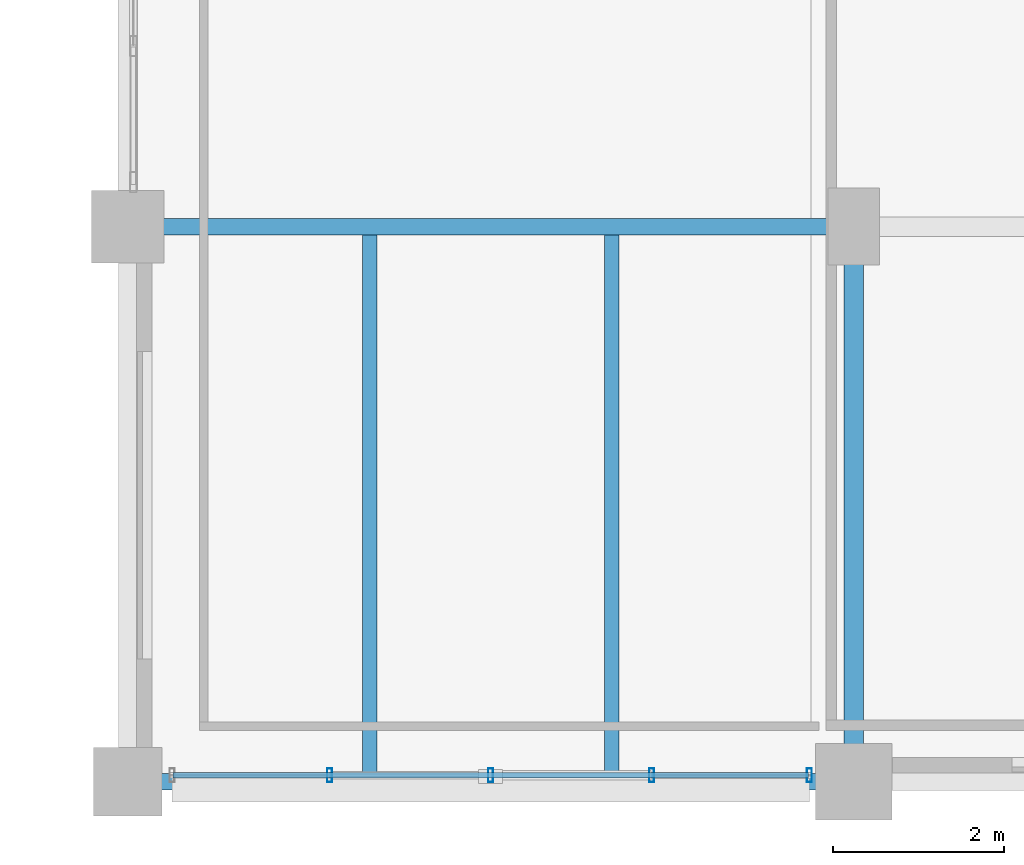
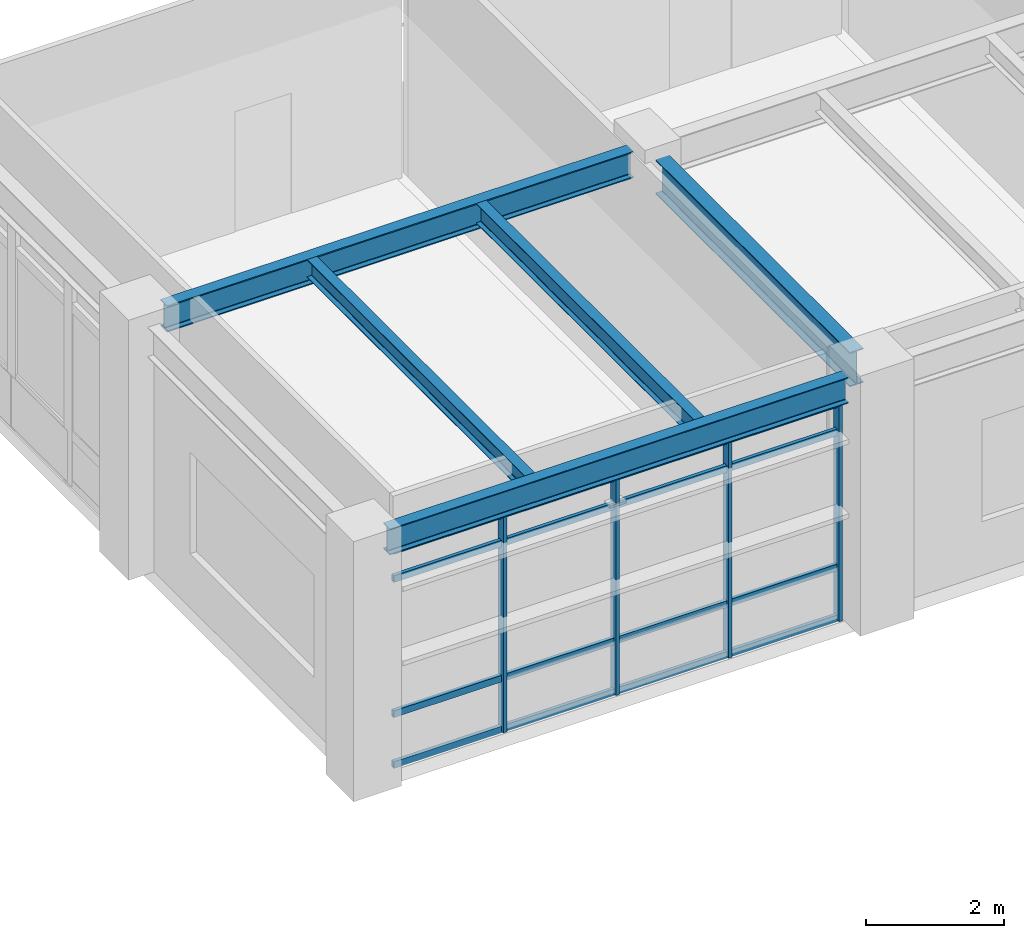
# One storey, part 95 of 168: 8 members, 5 beams, 1 element without a shape of its own.
"""IFC4 building model written with IfcOpenShell, lengths in metres."""

from ifc_helpers import new_model, si_unit, direction, frame, origin, origin_2d, place, context, subcontext, project, spatial, hollow_rectangle, i_section, extrude, material, material_profile, profile_set, type_object, element, aggregate, save


model = new_model("IFC4")

# Units and contexts
model_context = context("Model", 3, precision=1e-05, world=origin(), true_north=direction((0.0, 1.0)))
body_context = subcontext(model_context, "Body", "Model", "MODEL_VIEW")
ifc_project = project(units=[si_unit("LENGTHUNIT", "METRE"), si_unit("AREAUNIT", "SQUARE_METRE"), si_unit("VOLUMEUNIT", "CUBIC_METRE"), si_unit("PLANEANGLEUNIT", "RADIAN"), si_unit("MASSUNIT", "GRAM", prefix="KILO"), si_unit("THERMODYNAMICTEMPERATUREUNIT", "KELVIN"), si_unit("POWERUNIT", "WATT")], contexts=[model_context])

# Site, building, storey
site_placement = place(None, origin())
site = spatial("IfcSite", under=ifc_project, at=site_placement, CompositionType="ELEMENT")
building_placement = place(site_placement, origin())
building = spatial("IfcBuilding", under=site, at=building_placement, Name="Tepalcoro Natatorium and Aquatics Centre", CompositionType="ELEMENT")
storey_placement = place(building_placement, frame((0.0, 0.0, 10.199951171875)))
storey = spatial("IfcBuildingStorey", under=building, at=storey_placement, Name="L02", CompositionType="ELEMENT", Elevation=10.199951171875)

# Beams
ifc_material_1 = material(Name="Steel ASTM A992 Grade 50 (Fy 345 MPa)", Category="steel")
ifc_material_profile_1 = material_profile(ifc_material_1, i_section(OverallWidth=0.193115234375, OverallDepth=0.467041015625, WebThickness=0.010986328125, FlangeThickness=0.01904296875, FilletRadius=0.013916015625, at=origin_2d()), Name="W18X65")
ifc_profile_set_1 = profile_set([ifc_material_profile_1], Name="Steel ASTM A992 Grade 50 (Fy 345 MPa)")
beam_type_1 = type_object("IfcBeamType", Name="BM_W18x65", PredefinedType="BEAM", material=ifc_profile_set_1)
beam_1_placement = place(storey_placement, frame((142.409912109375, 13.0, 4.131591796875), z_axis=(1.0, 0.0, 0.0), x_axis=(0.0, 1.0, 0.0)))
element("IfcBeam", 1, at=beam_1_placement, inside=storey, type_object=beam_type_1, Name="V2 L02 Grid Girder X", PredefinedType="BEAM", context=body_context, shape_type="SweptSolid", body=[
    extrude(i_section(OverallWidth=0.193115234375, OverallDepth=0.467041015625, WebThickness=0.010986328125, FlangeThickness=0.01904296875, FilletRadius=0.013916015625, at=origin_2d()), origin(), (0.0, 0.0, 1.0), 7.80517578125),
])
ifc_material_profile_2 = material_profile(ifc_material_1, i_section(OverallWidth=0.22802734375, OverallDepth=0.60693359375, WebThickness=0.010986328125, FlangeThickness=0.01708984375, FilletRadius=0.013916015625, at=origin_2d()), Name="W24X76")
ifc_profile_set_2 = profile_set([ifc_material_profile_2], Name="Steel ASTM A992 Grade 50 (Fy 345 MPa)")
beam_type_2 = type_object("IfcBeamType", Name="BM_W24x76", PredefinedType="BEAM", material=ifc_profile_set_2)
beam_2_placement = place(storey_placement, frame((150.5, 6.93505859375, 4.0615234375), z_axis=(0.0, 1.0, 0.0), x_axis=(-1.0, 0.0, 0.0)))
element("IfcBeam", 2, at=beam_2_placement, inside=storey, type_object=beam_type_2, Name="V2 L02 Grid Girder Y", PredefinedType="BEAM", context=body_context, shape_type="SweptSolid", body=[
    extrude(i_section(OverallWidth=0.22802734375, OverallDepth=0.60693359375, WebThickness=0.010986328125, FlangeThickness=0.01708984375, FilletRadius=0.013916015625, at=origin_2d()), origin(), (0.0, 0.0, 1.0), 5.6298828125),
])

# Curtain wall, members
ifc_material_2 = material(Name="Bronze-Anodised Extruded Aluminium Alloy EN AW-6063 T6", Category="aluminium")
curtain_wall_type = type_object("IfcCurtainWallType", Name="CW_V2_DIVING", PredefinedType="USERDEFINED", material=ifc_material_2)
curtain_wall_placement = place(storey_placement, origin())
curtain_wall = element("IfcCurtainWall", 3, at=curtain_wall_placement, inside=storey, type_object=curtain_wall_type, Name="V2 L02 S Unitised Curtain Wall Bay 1", ObjectType="FACETED SOLAR GLAZING", PredefinedType="USERDEFINED")
ifc_material_profile_3 = material_profile(ifc_material_2, hollow_rectangle(XDim=0.06005859375, YDim=0.159912109375, WallThickness=0.00390625, at=origin_2d()), Name="AL60X160X4")
ifc_profile_set_3 = profile_set([ifc_material_profile_3], Name="Bronze-Anodised Extruded Aluminium Alloy EN AW-6063 T6")
member_type_1 = type_object("IfcMemberType", Name="CW_MUL_60x160", PredefinedType="MULLION", material=ifc_profile_set_3)
member_1_placement = place(storey_placement, frame((144.364990234375, 6.576171875, 0.02001953125), z_axis=(0.0, 0.0, 1.0), x_axis=(1.0, 0.0, 0.0)))
member_1 = element("IfcMember", 4, at=member_1_placement, type_object=member_type_1, Name="CW_V2_DIVING Curtain Wall Mullion", PredefinedType="MULLION", context=body_context, shape_type="SweptSolid", body=[
    extrude(hollow_rectangle(XDim=0.06005859375, YDim=0.159912109375, WallThickness=0.00390625, at=origin_2d()), origin(), (0.0, 0.0, 1.0), 3.85009765625),
])
member_2_placement = place(storey_placement, frame((146.25, 6.576171875, 0.02001953125), z_axis=(0.0, 0.0, 1.0), x_axis=(1.0, 0.0, 0.0)))
member_2 = element("IfcMember", 5, at=member_2_placement, type_object=member_type_1, Name="CW_V2_DIVING Curtain Wall Mullion", PredefinedType="MULLION", context=body_context, shape_type="SweptSolid", body=[
    extrude(hollow_rectangle(XDim=0.06005859375, YDim=0.159912109375, WallThickness=0.00390625, at=origin_2d()), origin(), (0.0, 0.0, 1.0), 3.85009765625),
])
member_3_placement = place(storey_placement, frame((148.135009765625, 6.576171875, 0.02001953125), z_axis=(0.0, 0.0, 1.0), x_axis=(1.0, 0.0, 0.0)))
member_3 = element("IfcMember", 6, at=member_3_placement, type_object=member_type_1, Name="CW_V2_DIVING Curtain Wall Mullion", PredefinedType="MULLION", context=body_context, shape_type="SweptSolid", body=[
    extrude(hollow_rectangle(XDim=0.06005859375, YDim=0.159912109375, WallThickness=0.00390625, at=origin_2d()), origin(), (0.0, 0.0, 1.0), 3.85009765625),
])
member_4_placement = place(storey_placement, frame((149.97998046875, 6.576171875, 0.02001953125), z_axis=(0.0, 0.0, 1.0), x_axis=(1.0, 0.0, 0.0)))
member_4 = element("IfcMember", 7, at=member_4_placement, type_object=member_type_1, Name="CW_V2_DIVING Curtain Wall Mullion", PredefinedType="MULLION", context=body_context, shape_type="SweptSolid", body=[
    extrude(hollow_rectangle(XDim=0.06005859375, YDim=0.159912109375, WallThickness=0.00390625, at=origin_2d()), origin(), (0.0, 0.0, 1.0), 3.85009765625),
])
ifc_material_profile_4 = material_profile(ifc_material_2, hollow_rectangle(XDim=0.06005859375, YDim=0.1201171875, WallThickness=0.00390625, at=origin_2d()), Name="AL60X120X4")
ifc_profile_set_4 = profile_set([ifc_material_profile_4], Name="Bronze-Anodised Extruded Aluminium Alloy EN AW-6063 T6")
member_type_2 = type_object("IfcMemberType", Name="CW_TRN_60x120", PredefinedType="USERDEFINED", material=ifc_profile_set_4)
member_5_placement = place(storey_placement, frame((142.530029296875, 6.576171875, 0.050048828125), z_axis=(1.0, 0.0, 0.0), x_axis=(0.0, 1.0, 0.0)))
member_5 = element("IfcMember", 8, at=member_5_placement, type_object=member_type_2, Name="CW_V2_DIVING Curtain Wall Transom", ObjectType="TRANSOM", PredefinedType="USERDEFINED", context=body_context, shape_type="SweptSolid", body=[
    extrude(hollow_rectangle(XDim=0.06005859375, YDim=0.1201171875, WallThickness=0.00390625, at=origin_2d()), origin(), (0.0, 0.0, 1.0), 7.43994140625),
])
member_6_placement = place(storey_placement, frame((142.530029296875, 6.576171875, 0.949951171875), z_axis=(1.0, 0.0, 0.0), x_axis=(0.0, 1.0, 0.0)))
member_6 = element("IfcMember", 9, at=member_6_placement, type_object=member_type_2, Name="CW_V2_DIVING Curtain Wall Transom", ObjectType="TRANSOM", PredefinedType="USERDEFINED", context=body_context, shape_type="SweptSolid", body=[
    extrude(hollow_rectangle(XDim=0.06005859375, YDim=0.1201171875, WallThickness=0.00390625, at=origin_2d()), origin(), (0.0, 0.0, 1.0), 7.43994140625),
])
member_7_placement = place(storey_placement, frame((142.530029296875, 6.576171875, 3.340087890625), z_axis=(1.0, 0.0, 0.0), x_axis=(0.0, 1.0, 0.0)))
member_7 = element("IfcMember", 10, at=member_7_placement, type_object=member_type_2, Name="CW_V2_DIVING Curtain Wall Transom", ObjectType="TRANSOM", PredefinedType="USERDEFINED", context=body_context, shape_type="SweptSolid", body=[
    extrude(hollow_rectangle(XDim=0.06005859375, YDim=0.1201171875, WallThickness=0.00390625, at=origin_2d()), origin(), (0.0, 0.0, 1.0), 7.43994140625),
])
member_8_placement = place(storey_placement, frame((142.530029296875, 6.576171875, 3.840087890625), z_axis=(1.0, 0.0, 0.0), x_axis=(0.0, 1.0, 0.0)))
member_8 = element("IfcMember", 11, at=member_8_placement, type_object=member_type_2, Name="CW_V2_DIVING Curtain Wall Transom", ObjectType="TRANSOM", PredefinedType="USERDEFINED", context=body_context, shape_type="SweptSolid", body=[
    extrude(hollow_rectangle(XDim=0.06005859375, YDim=0.1201171875, WallThickness=0.00390625, at=origin_2d()), origin(), (0.0, 0.0, 1.0), 7.43994140625),
])
aggregate(curtain_wall, [member_1, member_2, member_3, member_4, member_5, member_6, member_7, member_8])

# Beams
ifc_material_profile_5 = material_profile(ifc_material_1, i_section(OverallWidth=0.1669921875, OverallDepth=0.318115234375, WebThickness=0.008056640625, FlangeThickness=0.012939453125, FilletRadius=0.013916015625, at=origin_2d()), Name="W12X35")
ifc_profile_set_5 = profile_set([ifc_material_profile_5], Name="Steel ASTM A992 Grade 50 (Fy 345 MPa)")
beam_type_3 = type_object("IfcBeamType", Name="JS_W12x35", PredefinedType="JOIST", material=ifc_profile_set_5)
beam_3_placement = place(storey_placement, frame((144.833251953125, 6.595458984375, 4.2060546875), z_axis=(0.0, 1.0, 0.0), x_axis=(-1.0, 0.0, 0.0)))
element("IfcBeam", 12, at=beam_3_placement, inside=storey, type_object=beam_type_3, Name="V2 L02 Floor Joist", PredefinedType="JOIST", context=body_context, shape_type="SweptSolid", body=[
    extrude(i_section(OverallWidth=0.1669921875, OverallDepth=0.318115234375, WebThickness=0.008056640625, FlangeThickness=0.012939453125, FilletRadius=0.013916015625, at=origin_2d()), origin(), (0.0, 0.0, 1.0), 6.30810546875),
])
ifc_material_profile_6 = material_profile(ifc_material_1, i_section(OverallWidth=0.1708984375, OverallDepth=0.35107421875, WebThickness=0.007080078125, FlangeThickness=0.010009765625, FilletRadius=0.013916015625, at=origin_2d()), Name="W14X30")
ifc_profile_set_6 = profile_set([ifc_material_profile_6], Name="Steel ASTM A992 Grade 50 (Fy 345 MPa)")
beam_type_4 = type_object("IfcBeamType", Name="JS_W14x30", PredefinedType="JOIST", material=ifc_profile_set_6)
beam_4_placement = place(storey_placement, frame((147.666748046875, 6.595458984375, 4.189453125), z_axis=(0.0, 1.0, 0.0), x_axis=(-1.0, 0.0, 0.0)))
element("IfcBeam", 13, at=beam_4_placement, inside=storey, type_object=beam_type_4, Name="V2 L02 Floor Joist", PredefinedType="JOIST", context=body_context, shape_type="SweptSolid", body=[
    extrude(i_section(OverallWidth=0.1708984375, OverallDepth=0.35107421875, WebThickness=0.007080078125, FlangeThickness=0.010009765625, FilletRadius=0.013916015625, at=origin_2d()), origin(), (0.0, 0.0, 1.0), 6.30810546875),
])
ifc_material_profile_7 = material_profile(ifc_material_1, i_section(OverallWidth=0.19091796875, OverallDepth=0.4599609375, WebThickness=0.010009765625, FlangeThickness=0.01611328125, FilletRadius=0.013916015625, at=origin_2d()), Name="W18X55")
ifc_profile_set_7 = profile_set([ifc_material_profile_7], Name="Steel ASTM A992 Grade 50 (Fy 345 MPa)")
beam_type_5 = type_object("IfcBeamType", Name="SP_W18x55", PredefinedType="SPANDREL", material=ifc_profile_set_7)
beam_5_placement = place(storey_placement, frame((142.385009765625, 6.5, 4.135009765625), z_axis=(1.0, 0.0, 0.0), x_axis=(0.0, 1.0, 0.0)))
element("IfcBeam", 14, at=beam_5_placement, inside=storey, type_object=beam_type_5, Name="V2 L02 Grid Girder X", PredefinedType="SPANDREL", context=body_context, shape_type="SweptSolid", body=[
    extrude(i_section(OverallWidth=0.19091796875, OverallDepth=0.4599609375, WebThickness=0.010009765625, FlangeThickness=0.01611328125, FilletRadius=0.013916015625, at=origin_2d()), origin(), (0.0, 0.0, 1.0), 7.679931640625),
])

save(model, "model.ifc")
